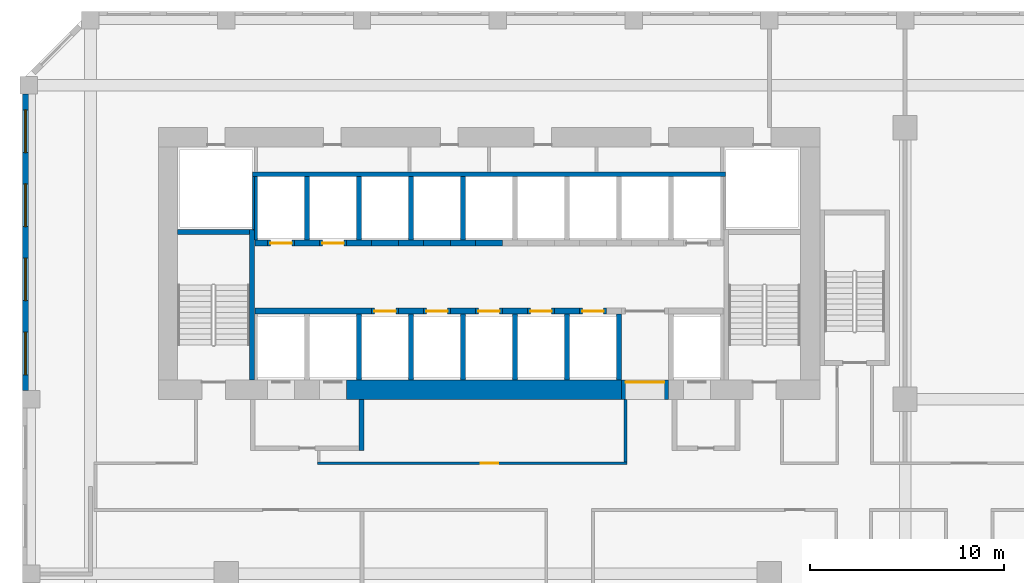
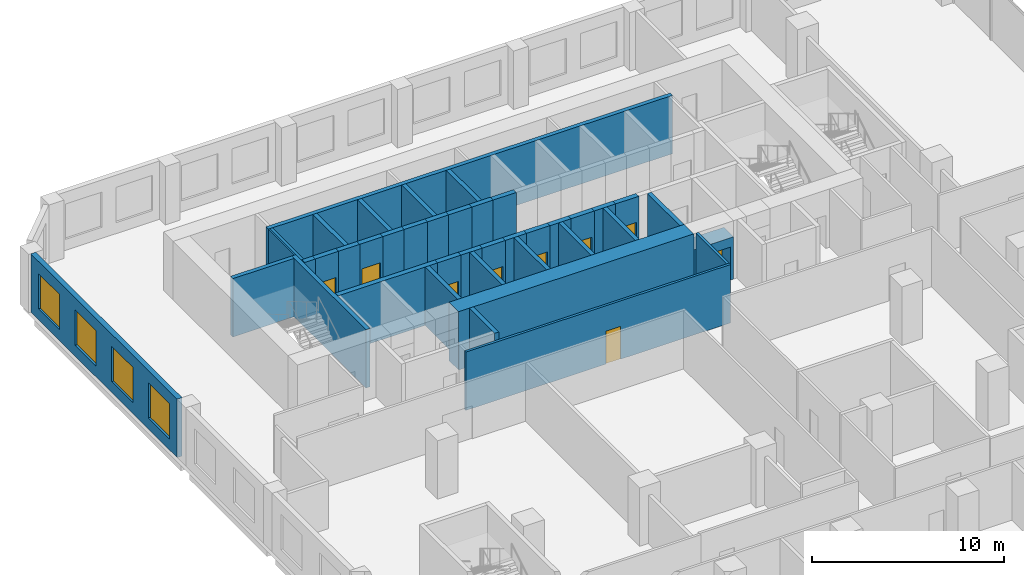
# One storey, part 16 of 29: 41 walls, 9 doors, 4 windows, 13 openings.
"""IFC4 building model written with IfcOpenShell, lengths in metres."""

from ifc_helpers import new_model, si_unit, direction, frame, frame_2d, origin, place, context, subcontext, project, spatial, rectangle, extrude, source, transform, mapped, material, layer, layer_set, type_object, element, fill, save


model = new_model("IFC4")

# Units and contexts
model_context = context("Model", 3, precision=1e-05, world=origin(), true_north=direction((0.0, 1.0)))
body_context = subcontext(model_context, "Body", "Model", "MODEL_VIEW")
ifc_project = project(units=[si_unit("LENGTHUNIT", "METRE"), si_unit("AREAUNIT", "SQUARE_METRE"), si_unit("VOLUMEUNIT", "CUBIC_METRE"), si_unit("PLANEANGLEUNIT", "RADIAN"), si_unit("MASSUNIT", "GRAM", prefix="KILO")], contexts=[model_context])

# Site, building, storey
site_placement = place(None, origin())
site = spatial("IfcSite", under=ifc_project, at=site_placement, CompositionType="ELEMENT")
building_placement = place(site_placement, origin())
building = spatial("IfcBuilding", under=site, at=building_placement, Name="Kilnfold Tower and Market Hall", CompositionType="ELEMENT")
storey_placement = place(building_placement, frame((0.0, 0.0, 79.199951171875)))
storey = spatial("IfcBuildingStorey", under=building, at=storey_placement, Name="L18", CompositionType="ELEMENT", Elevation=79.199951171875)

# Wall, opening, door
ifc_material_1 = material(Name="Gypsum board on steel studs", Category="steel")
ifc_layer_1 = layer(ifc_material_1, 0.14990234375)
ifc_layer_set_1 = layer_set([ifc_layer_1], Name="Gypsum board on steel studs")
wall_type_1 = type_object("IfcWallType", Name="WALL CORRIDOR 150", PredefinedType="PARTITIONING", material=ifc_layer_set_1)
wall_1_placement = place(storey_placement, frame((-7.804931640625, 4.699951171875, 0.0), z_axis=(0.0, 0.0, 1.0), x_axis=(1.0, 0.0, 0.0)))
wall_1 = element("IfcWall", 1, at=wall_1_placement, inside=storey, type_object=wall_type_1, Name="Partition LY13.10", PredefinedType="PARTITIONING", context=body_context, shape_type="SweptSolid", body=[
    extrude(rectangle(XDim=15.969970703125, YDim=0.14990234375, at=frame_2d((7.98486328125, 0.0))), origin(), (0.0, 0.0, 1.0), 3.719970703125),
])
opening_1_placement = place(wall_1_placement, frame((8.43896484375, 0.0, 0.0)))
opening_1 = element("IfcOpeningElement", 2, at=opening_1_placement, cuts=wall_1, Name="Opening D2", PredefinedType="OPENING", context=body_context, shape_type="SweptSolid", body=[
    extrude(rectangle(XDim=0.89990234375, YDim=2.10009765625, at=frame_2d((0.449951171875, 1.050048828125))), frame((0.0, 0.0849609375, 0.0), z_axis=(0.0, -1.0, 0.0), x_axis=(1.0, 0.0, 0.0)), (0.0, 0.0, 1.0), 0.169921875),
])
ifc_material_2 = material(Name="Timber veneer door leaf in steel frame", Category="steel")
door_type_1 = type_object("IfcDoorType", Name="DOOR ROOM 900 X2100", OperationType="NOTDEFINED", PredefinedType="DOOR", material=ifc_material_2)
door_1_placement = place(opening_1_placement, origin())
door_1 = element("IfcDoor", 3, at=door_1_placement, inside=storey, type_object=door_type_1, Name="Door D2", OperationType="SINGLE_SWING_LEFT", OverallHeight=2.10009765625, OverallWidth=0.89990234375, PredefinedType="DOOR", context=body_context, shape_type="SweptSolid", body=[
    extrude(rectangle(XDim=0.89990234375, YDim=2.10009765625, at=frame_2d((0.449951171875, 1.050048828125))), frame((0.0, 0.02490234375, 0.0), z_axis=(0.0, -1.0, 0.0), x_axis=(1.0, 0.0, 0.0)), (0.0, 0.0, 1.0), 0.050048828125),
])
fill(opening_1, door_1)

# Walls
wall_2_placement = place(storey_placement, frame((8.090087890625, 8.0, 0.0), z_axis=(0.0, 0.0, 1.0), x_axis=(0.0, -1.0, 0.0)))
element("IfcWall", 4, at=wall_2_placement, inside=storey, type_object=wall_type_1, Name="Partition LY13.11", PredefinedType="PARTITIONING", context=body_context, shape_type="SweptSolid", body=[
    extrude(rectangle(XDim=3.22509765625, YDim=0.14990234375, at=frame_2d((1.612548828125, 0.0))), origin(), (0.0, 0.0, 1.0), 3.719970703125),
])
ifc_material_3 = material(Name="Concrete C80", Category="concrete")
ifc_layer_2 = layer(ifc_material_3, 1.0)
ifc_layer_set_2 = layer_set([ifc_layer_2], Name="Concrete C80")
wall_type_2 = type_object("IfcWallType", Name="CORE WALL 1000 C80", PredefinedType="SHEAR", material=ifc_layer_set_2)
shared_shape_1 = source(origin(), body_context, "Body", "SweptSolid", [
    extrude(rectangle(XDim=14.179931640625, YDim=1.0, at=frame_2d((7.08984375, 0.0))), origin(), (0.0, 0.0, 1.0), 3.719970703125),
])
wall_3_placement = place(storey_placement, frame((-6.2900390625, 8.5, 0.0), z_axis=(0.0, 0.0, 1.0), x_axis=(1.0, 0.0, 0.0)))
element("IfcWall", 5, at=wall_3_placement, inside=storey, type_object=wall_type_2, Name="Core outer wall south", PredefinedType="SHEAR", context=body_context, shape_type="MappedRepresentation", body=[
    mapped(shared_shape_1, transform((0.0, 0.0, 0.0))),
])
ifc_material_4 = material(Name="Concrete C80", Category="concrete")
ifc_layer_3 = layer(ifc_material_4, 0.25)
ifc_layer_set_3 = layer_set([ifc_layer_3], Name="Concrete C80")
wall_type_3 = type_object("IfcWallType", Name="CORE WALL 250 C80", PredefinedType="SHEAR", material=ifc_layer_set_3)
shared_shape_2 = source(origin(), body_context, "Body", "SweptSolid", [
    extrude(rectangle(XDim=7.75, YDim=0.25, at=frame_2d((3.875, 0.0))), origin(), (0.0, 0.0, 1.0), 3.719970703125),
])
wall_4_placement = place(storey_placement, frame((-11.175048828125, 9.0, 0.0), z_axis=(0.0, 0.0, 1.0), x_axis=(0.0, 1.0, 0.0)))
element("IfcWall", 6, at=wall_4_placement, inside=storey, type_object=wall_type_3, Name="Stair enclosure ST1", PredefinedType="SHEAR", context=body_context, shape_type="MappedRepresentation", body=[
    mapped(shared_shape_2, transform((0.0, 0.0, 0.0))),
])
shared_shape_3 = source(origin(), body_context, "Body", "SweptSolid", [
    extrude(rectangle(XDim=3.699951171875, YDim=0.25, at=frame_2d((1.85009765625, 0.0))), origin(), (0.0, 0.0, 1.0), 3.719970703125),
])
wall_5_placement = place(storey_placement, frame((-15.0, 16.625, 0.0), z_axis=(0.0, 0.0, 1.0), x_axis=(1.0, 0.0, 0.0)))
element("IfcWall", 7, at=wall_5_placement, inside=storey, type_object=wall_type_3, Name="Stair enclosure ST1", PredefinedType="SHEAR", context=body_context, shape_type="MappedRepresentation", body=[
    mapped(shared_shape_3, transform((0.0, 0.0, 0.0))),
])
ifc_material_5 = material(Name="Concrete C80", Category="concrete")
ifc_layer_4 = layer(ifc_material_5, 0.300048828125)
ifc_layer_set_4 = layer_set([ifc_layer_4], Name="Concrete C80")
wall_type_4 = type_object("IfcWallType", Name="CORE WALL 300 C80", PredefinedType="SHEAR", material=ifc_layer_set_4)
shared_shape_4 = source(origin(), body_context, "Body", "SweptSolid", [
    extrude(rectangle(XDim=6.0, YDim=0.300048828125, at=frame_2d((3.0, 0.0))), origin(), (0.0, 0.0, 1.0), 3.719970703125),
])
wall_6_placement = place(storey_placement, frame((-11.010009765625, 12.550048828125, 0.0), z_axis=(0.0, 0.0, 1.0), x_axis=(1.0, 0.0, 0.0)))
element("IfcWall", 8, at=wall_6_placement, inside=storey, type_object=wall_type_4, Name="Core spine wall", PredefinedType="SHEAR", context=body_context, shape_type="MappedRepresentation", body=[
    mapped(shared_shape_4, transform((0.0, 0.0, 0.0))),
])
shared_shape_5 = source(origin(), body_context, "Body", "SweptSolid", [
    extrude(rectangle(XDim=1.280029296875, YDim=0.300048828125, at=frame_2d((0.64013671875, 0.0))), origin(), (0.0, 0.0, 1.0), 3.719970703125),
])
for number, where, z_axis, x_axis, name in (
    (9, (-3.610107421875, 12.550048828125, 0.0), (0.0, 0.0, 1.0), (1.0, 0.0, 0.0), "Core spine wall"),
    (10, (-0.929931640625, 12.550048828125, 0.0), (0.0, 0.0, 1.0), (1.0, 0.0, 0.0), "Core spine wall"),
    (11, (1.75, 12.550048828125, 0.0), (0.0, 0.0, 1.0), (1.0, 0.0, 0.0), "Core spine wall"),
    (12, (4.429931640625, 12.550048828125, 0.0), (0.0, 0.0, 1.0), (1.0, 0.0, 0.0), "Core spine wall"),
    (13, (-8.969970703125, 16.050048828125, 0.0), (0.0, 0.0, 1.0), (1.0, 0.0, 0.0), "Core spine wall"),
    (14, (-6.2900390625, 16.050048828125, 0.0), (0.0, 0.0, 1.0), (1.0, 0.0, 0.0), "Core spine wall"),
    (15, (-3.610107421875, 16.050048828125, 0.0), (0.0, 0.0, 1.0), (1.0, 0.0, 0.0), "Core spine wall"),
    (16, (-0.929931640625, 16.050048828125, 0.0), (0.0, 0.0, 1.0), (1.0, 0.0, 0.0), "Core spine wall"),
):
    element("IfcWall", number, at=place(storey_placement, frame(where, z_axis=z_axis, x_axis=x_axis)), inside=storey, type_object=wall_type_4, Name=name, PredefinedType="SHEAR", context=body_context, shape_type="MappedRepresentation", body=[
        mapped(shared_shape_5, transform((0.0, 0.0, 0.0))),
    ])
shared_shape_6 = source(origin(), body_context, "Body", "SweptSolid", [
    extrude(rectangle(XDim=0.639892578125, YDim=0.300048828125, at=frame_2d((0.31982421875, 0.0))), origin(), (0.0, 0.0, 1.0), 3.719970703125),
])
wall_7_placement = place(storey_placement, frame((-11.010009765625, 16.050048828125, 0.0), z_axis=(0.0, 0.0, 1.0), x_axis=(1.0, 0.0, 0.0)))
element("IfcWall", 17, at=wall_7_placement, inside=storey, type_object=wall_type_4, Name="Core spine wall", PredefinedType="SHEAR", context=body_context, shape_type="MappedRepresentation", body=[
    mapped(shared_shape_6, transform((0.0, 0.0, 0.0))),
])

# Wall, openings, windows
ifc_material_6 = material(Name="Precast concrete C50/60", Category="concrete")
ifc_layer_5 = layer(ifc_material_6, 0.300048828125)
ifc_layer_set_5 = layer_set([ifc_layer_5], Name="Precast concrete C50/60")
wall_type_5 = type_object("IfcWallType", Name="PRECAST WALL 300", PredefinedType="SOLIDWALL", material=ifc_layer_set_5)
shared_shape_7 = source(origin(), body_context, "Body", "SweptSolid", [
    extrude(rectangle(XDim=15.28173828125, YDim=0.300048828125, at=frame_2d((7.640869140625, 0.0))), origin(), (0.0, 0.0, 1.0), 3.719970703125),
])
wall_8_placement = place(storey_placement, frame((-22.85009765625, 23.731689453125, 0.0), z_axis=(0.0, 0.0, 1.0), x_axis=(0.0, -1.0, 0.0)))
wall_8 = element("IfcWall", 18, at=wall_8_placement, inside=storey, type_object=wall_type_5, Name="External wall L18 W", PredefinedType="SOLIDWALL", context=body_context, shape_type="MappedRepresentation", body=[
    mapped(shared_shape_7, transform((0.0, 0.0, 0.0))),
])
opening_2_placement = place(wall_8_placement, frame((0.810302734375, 0.0, 0.699951171875)))
opening_2 = element("IfcOpeningElement", 19, at=opening_2_placement, cuts=wall_8, Name="Opening W1", PredefinedType="OPENING", context=body_context, shape_type="SweptSolid", body=[
    extrude(rectangle(XDim=2.199951171875, YDim=2.25, at=frame_2d((1.10009765625, 1.125))), frame((0.0, 0.16015625, 0.0), z_axis=(0.0, -1.0, 0.0), x_axis=(1.0, 0.0, 0.0)), (0.0, 0.0, 1.0), 0.320068359375),
])
opening_3_placement = place(wall_8_placement, frame((4.630615234375, 0.0, 0.699951171875)))
opening_3 = element("IfcOpeningElement", 20, at=opening_3_placement, cuts=wall_8, Name="Opening W1", PredefinedType="OPENING", context=body_context, shape_type="SweptSolid", body=[
    extrude(rectangle(XDim=2.199951171875, YDim=2.25, at=frame_2d((1.10009765625, 1.125))), frame((0.0, 0.16015625, 0.0), z_axis=(0.0, -1.0, 0.0), x_axis=(1.0, 0.0, 0.0)), (0.0, 0.0, 1.0), 0.320068359375),
])
opening_4_placement = place(wall_8_placement, frame((8.451171875, 0.0, 0.699951171875)))
opening_4 = element("IfcOpeningElement", 21, at=opening_4_placement, cuts=wall_8, Name="Opening W1", PredefinedType="OPENING", context=body_context, shape_type="SweptSolid", body=[
    extrude(rectangle(XDim=2.199951171875, YDim=2.25, at=frame_2d((1.10009765625, 1.125))), frame((0.0, 0.16015625, 0.0), z_axis=(0.0, -1.0, 0.0), x_axis=(1.0, 0.0, 0.0)), (0.0, 0.0, 1.0), 0.320068359375),
])
opening_5_placement = place(wall_8_placement, frame((12.271484375, 0.0, 0.699951171875)))
opening_5 = element("IfcOpeningElement", 22, at=opening_5_placement, cuts=wall_8, Name="Opening W1", PredefinedType="OPENING", context=body_context, shape_type="SweptSolid", body=[
    extrude(rectangle(XDim=2.199951171875, YDim=2.25, at=frame_2d((1.10009765625, 1.125))), frame((0.0, 0.16015625, 0.0), z_axis=(0.0, -1.0, 0.0), x_axis=(1.0, 0.0, 0.0)), (0.0, 0.0, 1.0), 0.320068359375),
])
ifc_material_7 = material(Name="Aluminium frame and double glazing", Category="aluminium")
window_type = type_object("IfcWindowType", Name="WINDOW W1 2200X2250", PartitioningType="SINGLE_PANEL", PredefinedType="WINDOW", material=ifc_material_7)
window_1_placement = place(opening_2_placement, origin())
window_1 = element("IfcWindow", 23, at=window_1_placement, inside=storey, type_object=window_type, Name="Window W1 L18 W-1", OverallHeight=2.25, OverallWidth=2.199951171875, PartitioningType="SINGLE_PANEL", PredefinedType="WINDOW", context=body_context, shape_type="SweptSolid", body=[
    extrude(rectangle(XDim=2.199951171875, YDim=2.25, at=frame_2d((1.10009765625, 1.125))), frame((0.0, 0.030029296875, 0.0), z_axis=(0.0, -1.0, 0.0), x_axis=(1.0, 0.0, 0.0)), (0.0, 0.0, 1.0), 0.06005859375),
])
fill(opening_2, window_1)
window_2_placement = place(opening_3_placement, origin())
window_2 = element("IfcWindow", 24, at=window_2_placement, inside=storey, type_object=window_type, Name="Window W1 L18 W-2", OverallHeight=2.25, OverallWidth=2.199951171875, PartitioningType="SINGLE_PANEL", PredefinedType="WINDOW", context=body_context, shape_type="SweptSolid", body=[
    extrude(rectangle(XDim=2.199951171875, YDim=2.25, at=frame_2d((1.10009765625, 1.125))), frame((0.0, 0.030029296875, 0.0), z_axis=(0.0, -1.0, 0.0), x_axis=(1.0, 0.0, 0.0)), (0.0, 0.0, 1.0), 0.06005859375),
])
fill(opening_3, window_2)
window_3_placement = place(opening_4_placement, origin())
window_3 = element("IfcWindow", 25, at=window_3_placement, inside=storey, type_object=window_type, Name="Window W1 L18 W-3", OverallHeight=2.25, OverallWidth=2.199951171875, PartitioningType="SINGLE_PANEL", PredefinedType="WINDOW", context=body_context, shape_type="SweptSolid", body=[
    extrude(rectangle(XDim=2.199951171875, YDim=2.25, at=frame_2d((1.10009765625, 1.125))), frame((0.0, 0.030029296875, 0.0), z_axis=(0.0, -1.0, 0.0), x_axis=(1.0, 0.0, 0.0)), (0.0, 0.0, 1.0), 0.06005859375),
])
fill(opening_4, window_3)
window_4_placement = place(opening_5_placement, origin())
window_4 = element("IfcWindow", 26, at=window_4_placement, inside=storey, type_object=window_type, Name="Window W1 L18 W-4", OverallHeight=2.25, OverallWidth=2.199951171875, PartitioningType="SINGLE_PANEL", PredefinedType="WINDOW", context=body_context, shape_type="SweptSolid", body=[
    extrude(rectangle(XDim=2.199951171875, YDim=2.25, at=frame_2d((1.10009765625, 1.125))), frame((0.0, 0.030029296875, 0.0), z_axis=(0.0, -1.0, 0.0), x_axis=(1.0, 0.0, 0.0)), (0.0, 0.0, 1.0), 0.06005859375),
])
fill(opening_5, window_4)

# Wall, opening, door
ifc_material_8 = material(Name="Gypsum shaft wall system")
ifc_layer_6 = layer(ifc_material_8, 1.0)
ifc_layer_set_6 = layer_set([ifc_layer_6], Name="Gypsum shaft wall system")
wall_type_6 = type_object("IfcWallType", Name="LOBBY WALL 1000", PredefinedType="PARTITIONING", material=ifc_layer_set_6)
shared_shape_8 = source(origin(), body_context, "Body", "SweptSolid", [
    extrude(rectangle(XDim=2.400146484375, YDim=1.0, at=frame_2d((1.2001953125, 0.0))), origin(), (0.0, 0.0, 1.0), 2.699951171875),
])
wall_9_placement = place(storey_placement, frame((7.889892578125, 8.5, 0.0), z_axis=(0.0, 0.0, 1.0), x_axis=(1.0, 0.0, 0.0)))
wall_9 = element("IfcWall", 27, at=wall_9_placement, inside=storey, type_object=wall_type_6, Name="Core wall infill", PredefinedType="PARTITIONING", context=body_context, shape_type="MappedRepresentation", body=[
    mapped(shared_shape_8, transform((0.0, 0.0, 0.0))),
])
opening_6_placement = place(wall_9_placement, frame((0.199951171875, 0.0, 0.0)))
opening_6 = element("IfcOpeningElement", 28, at=opening_6_placement, cuts=wall_9, Name="Opening VD2", PredefinedType="OPENING", context=body_context, shape_type="SweptSolid", body=[
    extrude(rectangle(XDim=2.0, YDim=2.10009765625, at=frame_2d((1.0, 1.050048828125))), frame((0.0, 0.510009765625, 0.0), z_axis=(0.0, -1.0, 0.0), x_axis=(1.0, 0.0, 0.0)), (0.0, 0.0, 1.0), 1.02001953125),
])
ifc_material_9 = material(Name="Steel door set with fire-resisting leaf", Category="steel")
door_type_2 = type_object("IfcDoorType", Name="LIFT LOBBY ENTRANCE DOOR 2000X2100", OperationType="NOTDEFINED", PredefinedType="DOOR", material=ifc_material_9)
door_2_placement = place(opening_6_placement, origin())
door_2 = element("IfcDoor", 29, at=door_2_placement, inside=storey, type_object=door_type_2, Name="Lift lobby entrance door", OperationType="DOUBLE_DOOR_SINGLE_SWING", OverallHeight=2.10009765625, OverallWidth=2.0, PredefinedType="DOOR", context=body_context, shape_type="SweptSolid", body=[
    extrude(rectangle(XDim=2.0, YDim=2.10009765625, at=frame_2d((1.0, 1.050048828125))), frame((0.0, 0.40478515625, 0.0), z_axis=(0.0, -1.0, 0.0), x_axis=(1.0, 0.0, 0.0)), (0.0, 0.0, 1.0), 0.050048828125),
])
fill(opening_6, door_2)

ifc_material_10 = material(Name="Gypsum shaft wall system")
ifc_layer_7 = layer(ifc_material_10, 0.300048828125)
ifc_layer_set_7 = layer_set([ifc_layer_7], Name="Gypsum shaft wall system")
wall_type_7 = type_object("IfcWallType", Name="SHAFT WALL 300", PredefinedType="PARTITIONING", material=ifc_layer_set_7)
shared_shape_9 = source(origin(), body_context, "Body", "SweptSolid", [
    extrude(rectangle(XDim=1.39990234375, YDim=0.300048828125, at=frame_2d((0.699951171875, 0.0))), origin(), (0.0, 0.0, 1.0), 3.719970703125),
])
wall_10_placement = place(storey_placement, frame((-5.010009765625, 12.550048828125, 0.0), z_axis=(0.0, 0.0, 1.0), x_axis=(1.0, 0.0, 0.0)))
wall_10 = element("IfcWall", 30, at=wall_10_placement, inside=storey, type_object=wall_type_7, Name="Lift shaft front wall", PredefinedType="PARTITIONING", context=body_context, shape_type="MappedRepresentation", body=[
    mapped(shared_shape_9, transform((0.0, 0.0, 0.0))),
])
opening_7_placement = place(wall_10_placement, frame((0.14990234375, 0.0, 0.0)))
opening_7 = element("IfcOpeningElement", 31, at=opening_7_placement, cuts=wall_10, Name="Opening LD2", PredefinedType="OPENING", context=body_context, shape_type="SweptSolid", body=[
    extrude(rectangle(XDim=1.10009765625, YDim=2.10009765625, at=frame_2d((0.550048828125, 1.050048828125))), frame((0.0, 0.16015625, 0.0), z_axis=(0.0, -1.0, 0.0), x_axis=(1.0, 0.0, 0.0)), (0.0, 0.0, 1.0), 0.320068359375),
])
ifc_material_11 = material(Name="Steel door set with fire-resisting leaf", Category="steel")
door_type_3 = type_object("IfcDoorType", Name="LANDING DOOR 1100X2100", OperationType="NOTDEFINED", PredefinedType="DOOR", material=ifc_material_11)
door_3_placement = place(opening_7_placement, origin())
door_3 = element("IfcDoor", 32, at=door_3_placement, inside=storey, type_object=door_type_3, Name="Landing door LR1", OperationType="DOUBLE_DOOR_SLIDING", OverallHeight=2.10009765625, OverallWidth=1.10009765625, PredefinedType="DOOR", context=body_context, shape_type="SweptSolid", body=[
    extrude(rectangle(XDim=1.10009765625, YDim=2.10009765625, at=frame_2d((0.550048828125, 1.050048828125))), frame((0.0, 0.02490234375, 0.0), z_axis=(0.0, -1.0, 0.0), x_axis=(1.0, 0.0, 0.0)), (0.0, 0.0, 1.0), 0.050048828125),
])
fill(opening_7, door_3)

wall_11_placement = place(storey_placement, frame((0.35009765625, 12.550048828125, 0.0), z_axis=(0.0, 0.0, 1.0), x_axis=(1.0, 0.0, 0.0)))
wall_11 = element("IfcWall", 33, at=wall_11_placement, inside=storey, type_object=wall_type_7, Name="Lift shaft front wall", PredefinedType="PARTITIONING", context=body_context, shape_type="MappedRepresentation", body=[
    mapped(shared_shape_9, transform((0.0, 0.0, 0.0))),
])
opening_8_placement = place(wall_11_placement, frame((0.14990234375, 0.0, 0.0)))
opening_8 = element("IfcOpeningElement", 34, at=opening_8_placement, cuts=wall_11, Name="Opening LD2", PredefinedType="OPENING", context=body_context, shape_type="SweptSolid", body=[
    extrude(rectangle(XDim=1.10009765625, YDim=2.10009765625, at=frame_2d((0.550048828125, 1.050048828125))), frame((0.0, 0.16015625, 0.0), z_axis=(0.0, -1.0, 0.0), x_axis=(1.0, 0.0, 0.0)), (0.0, 0.0, 1.0), 0.320068359375),
])
door_4_placement = place(opening_8_placement, origin())
door_4 = element("IfcDoor", 35, at=door_4_placement, inside=storey, type_object=door_type_3, Name="Landing door LR3", OperationType="DOUBLE_DOOR_SLIDING", OverallHeight=2.10009765625, OverallWidth=1.10009765625, PredefinedType="DOOR", context=body_context, shape_type="SweptSolid", body=[
    extrude(rectangle(XDim=1.10009765625, YDim=2.10009765625, at=frame_2d((0.550048828125, 1.050048828125))), frame((0.0, 0.02490234375, 0.0), z_axis=(0.0, -1.0, 0.0), x_axis=(1.0, 0.0, 0.0)), (0.0, 0.0, 1.0), 0.050048828125),
])
fill(opening_8, door_4)

wall_12_placement = place(storey_placement, frame((3.030029296875, 12.550048828125, 0.0), z_axis=(0.0, 0.0, 1.0), x_axis=(1.0, 0.0, 0.0)))
wall_12 = element("IfcWall", 36, at=wall_12_placement, inside=storey, type_object=wall_type_7, Name="Lift shaft front wall", PredefinedType="PARTITIONING", context=body_context, shape_type="MappedRepresentation", body=[
    mapped(shared_shape_9, transform((0.0, 0.0, 0.0))),
])
opening_9_placement = place(wall_12_placement, frame((0.14990234375, 0.0, 0.0)))
opening_9 = element("IfcOpeningElement", 37, at=opening_9_placement, cuts=wall_12, Name="Opening LD2", PredefinedType="OPENING", context=body_context, shape_type="SweptSolid", body=[
    extrude(rectangle(XDim=1.10009765625, YDim=2.10009765625, at=frame_2d((0.550048828125, 1.050048828125))), frame((0.0, 0.16015625, 0.0), z_axis=(0.0, -1.0, 0.0), x_axis=(1.0, 0.0, 0.0)), (0.0, 0.0, 1.0), 0.320068359375),
])
door_5_placement = place(opening_9_placement, origin())
door_5 = element("IfcDoor", 38, at=door_5_placement, inside=storey, type_object=door_type_3, Name="Landing door LR4", OperationType="DOUBLE_DOOR_SLIDING", OverallHeight=2.10009765625, OverallWidth=1.10009765625, PredefinedType="DOOR", context=body_context, shape_type="SweptSolid", body=[
    extrude(rectangle(XDim=1.10009765625, YDim=2.10009765625, at=frame_2d((0.550048828125, 1.050048828125))), frame((0.0, 0.02490234375, 0.0), z_axis=(0.0, -1.0, 0.0), x_axis=(1.0, 0.0, 0.0)), (0.0, 0.0, 1.0), 0.050048828125),
])
fill(opening_9, door_5)

wall_13_placement = place(storey_placement, frame((-7.68994140625, 16.050048828125, 0.0), z_axis=(0.0, 0.0, 1.0), x_axis=(1.0, 0.0, 0.0)))
wall_13 = element("IfcWall", 39, at=wall_13_placement, inside=storey, type_object=wall_type_7, Name="Lift shaft front wall", PredefinedType="PARTITIONING", context=body_context, shape_type="MappedRepresentation", body=[
    mapped(shared_shape_9, transform((0.0, 0.0, 0.0))),
])
opening_10_placement = place(wall_13_placement, frame((0.14990234375, 0.0, 0.0)))
opening_10 = element("IfcOpeningElement", 40, at=opening_10_placement, cuts=wall_13, Name="Opening LD2", PredefinedType="OPENING", context=body_context, shape_type="SweptSolid", body=[
    extrude(rectangle(XDim=1.10009765625, YDim=2.10009765625, at=frame_2d((0.550048828125, 1.050048828125))), frame((0.0, 0.16015625, 0.0), z_axis=(0.0, -1.0, 0.0), x_axis=(1.0, 0.0, 0.0)), (0.0, 0.0, 1.0), 0.320068359375),
])
door_6_placement = place(opening_10_placement, origin())
door_6 = element("IfcDoor", 41, at=door_6_placement, inside=storey, type_object=door_type_3, Name="Landing door LR8", OperationType="DOUBLE_DOOR_SLIDING", OverallHeight=2.10009765625, OverallWidth=1.10009765625, PredefinedType="DOOR", context=body_context, shape_type="SweptSolid", body=[
    extrude(rectangle(XDim=1.10009765625, YDim=2.10009765625, at=frame_2d((0.550048828125, 1.050048828125))), frame((0.0, 0.02490234375, 0.0), z_axis=(0.0, -1.0, 0.0), x_axis=(1.0, 0.0, 0.0)), (0.0, 0.0, 1.0), 0.050048828125),
])
fill(opening_10, door_6)

# Walls
for number, where, z_axis, x_axis, name in (
    (42, (-5.010009765625, 16.050048828125, 0.0), (0.0, 0.0, 1.0), (1.0, 0.0, 0.0), "Lift shaft front wall"),
    (43, (0.35009765625, 16.050048828125, 0.0), (0.0, 0.0, 1.0), (1.0, 0.0, 0.0), "Lift shaft front wall"),
):
    element("IfcWall", number, at=place(storey_placement, frame(where, z_axis=z_axis, x_axis=x_axis)), inside=storey, type_object=wall_type_7, Name=name, PredefinedType="PARTITIONING", context=body_context, shape_type="MappedRepresentation", body=[
        mapped(shared_shape_9, transform((0.0, 0.0, 0.0))),
    ])

# Wall, opening, door
shared_shape_10 = source(origin(), body_context, "Body", "SweptSolid", [
    extrude(rectangle(XDim=1.400146484375, YDim=0.300048828125, at=frame_2d((0.7001953125, 0.0))), origin(), (0.0, 0.0, 1.0), 3.719970703125),
])
wall_14_placement = place(storey_placement, frame((-2.330078125, 12.550048828125, 0.0), z_axis=(0.0, 0.0, 1.0), x_axis=(1.0, 0.0, 0.0)))
wall_14 = element("IfcWall", 44, at=wall_14_placement, inside=storey, type_object=wall_type_7, Name="Lift shaft front wall", PredefinedType="PARTITIONING", context=body_context, shape_type="MappedRepresentation", body=[
    mapped(shared_shape_10, transform((0.0, 0.0, 0.0))),
])
opening_11_placement = place(wall_14_placement, frame((0.14990234375, 0.0, 0.0)))
opening_11 = element("IfcOpeningElement", 45, at=opening_11_placement, cuts=wall_14, Name="Opening LD2", PredefinedType="OPENING", context=body_context, shape_type="SweptSolid", body=[
    extrude(rectangle(XDim=1.10009765625, YDim=2.10009765625, at=frame_2d((0.550048828125, 1.050048828125))), frame((0.0, 0.16015625, 0.0), z_axis=(0.0, -1.0, 0.0), x_axis=(1.0, 0.0, 0.0)), (0.0, 0.0, 1.0), 0.320068359375),
])
door_7_placement = place(opening_11_placement, origin())
door_7 = element("IfcDoor", 46, at=door_7_placement, inside=storey, type_object=door_type_3, Name="Landing door LR2", OperationType="DOUBLE_DOOR_SLIDING", OverallHeight=2.10009765625, OverallWidth=1.10009765625, PredefinedType="DOOR", context=body_context, shape_type="SweptSolid", body=[
    extrude(rectangle(XDim=1.10009765625, YDim=2.10009765625, at=frame_2d((0.550048828125, 1.050048828125))), frame((0.0, 0.02490234375, 0.0), z_axis=(0.0, -1.0, 0.0), x_axis=(1.0, 0.0, 0.0)), (0.0, 0.0, 1.0), 0.050048828125),
])
fill(opening_11, door_7)

wall_15_placement = place(storey_placement, frame((5.7099609375, 12.550048828125, 0.0), z_axis=(0.0, 0.0, 1.0), x_axis=(1.0, 0.0, 0.0)))
wall_15 = element("IfcWall", 47, at=wall_15_placement, inside=storey, type_object=wall_type_7, Name="Lift shaft front wall", PredefinedType="PARTITIONING", context=body_context, shape_type="MappedRepresentation", body=[
    mapped(shared_shape_10, transform((0.0, 0.0, 0.0))),
])
opening_12_placement = place(wall_15_placement, frame((0.14990234375, 0.0, 0.0)))
opening_12 = element("IfcOpeningElement", 48, at=opening_12_placement, cuts=wall_15, Name="Opening LD2", PredefinedType="OPENING", context=body_context, shape_type="SweptSolid", body=[
    extrude(rectangle(XDim=1.10009765625, YDim=2.10009765625, at=frame_2d((0.550048828125, 1.050048828125))), frame((0.0, 0.16015625, 0.0), z_axis=(0.0, -1.0, 0.0), x_axis=(1.0, 0.0, 0.0)), (0.0, 0.0, 1.0), 0.320068359375),
])
door_8_placement = place(opening_12_placement, origin())
door_8 = element("IfcDoor", 49, at=door_8_placement, inside=storey, type_object=door_type_3, Name="Landing door LR5", OperationType="DOUBLE_DOOR_SLIDING", OverallHeight=2.10009765625, OverallWidth=1.10009765625, PredefinedType="DOOR", context=body_context, shape_type="SweptSolid", body=[
    extrude(rectangle(XDim=1.10009765625, YDim=2.10009765625, at=frame_2d((0.550048828125, 1.050048828125))), frame((0.0, 0.02490234375, 0.0), z_axis=(0.0, -1.0, 0.0), x_axis=(1.0, 0.0, 0.0)), (0.0, 0.0, 1.0), 0.050048828125),
])
fill(opening_12, door_8)

wall_16_placement = place(storey_placement, frame((-10.3701171875, 16.050048828125, 0.0), z_axis=(0.0, 0.0, 1.0), x_axis=(1.0, 0.0, 0.0)))
wall_16 = element("IfcWall", 50, at=wall_16_placement, inside=storey, type_object=wall_type_7, Name="Lift shaft front wall", PredefinedType="PARTITIONING", context=body_context, shape_type="MappedRepresentation", body=[
    mapped(shared_shape_10, transform((0.0, 0.0, 0.0))),
])
opening_13_placement = place(wall_16_placement, frame((0.14990234375, 0.0, 0.0)))
opening_13 = element("IfcOpeningElement", 51, at=opening_13_placement, cuts=wall_16, Name="Opening LD2", PredefinedType="OPENING", context=body_context, shape_type="SweptSolid", body=[
    extrude(rectangle(XDim=1.10009765625, YDim=2.10009765625, at=frame_2d((0.550048828125, 1.050048828125))), frame((0.0, 0.16015625, 0.0), z_axis=(0.0, -1.0, 0.0), x_axis=(1.0, 0.0, 0.0)), (0.0, 0.0, 1.0), 0.320068359375),
])
door_9_placement = place(opening_13_placement, origin())
door_9 = element("IfcDoor", 52, at=door_9_placement, inside=storey, type_object=door_type_3, Name="Landing door LR7", OperationType="DOUBLE_DOOR_SLIDING", OverallHeight=2.10009765625, OverallWidth=1.10009765625, PredefinedType="DOOR", context=body_context, shape_type="SweptSolid", body=[
    extrude(rectangle(XDim=1.10009765625, YDim=2.10009765625, at=frame_2d((0.550048828125, 1.050048828125))), frame((0.0, 0.02490234375, 0.0), z_axis=(0.0, -1.0, 0.0), x_axis=(1.0, 0.0, 0.0)), (0.0, 0.0, 1.0), 0.050048828125),
])
fill(opening_13, door_9)

# Walls
wall_17_placement = place(storey_placement, frame((-2.330078125, 16.050048828125, 0.0), z_axis=(0.0, 0.0, 1.0), x_axis=(1.0, 0.0, 0.0)))
element("IfcWall", 53, at=wall_17_placement, inside=storey, type_object=wall_type_7, Name="Lift shaft front wall", PredefinedType="PARTITIONING", context=body_context, shape_type="MappedRepresentation", body=[
    mapped(shared_shape_10, transform((0.0, 0.0, 0.0))),
])
ifc_material_12 = material(Name="Gypsum shaft wall system")
ifc_layer_8 = layer(ifc_material_12, 0.25)
ifc_layer_set_8 = layer_set([ifc_layer_8], Name="Gypsum shaft wall system")
wall_type_8 = type_object("IfcWallType", Name="LOBBY WALL 250", PredefinedType="PARTITIONING", material=ifc_layer_set_8)
shared_shape_11 = source(origin(), body_context, "Body", "SweptSolid", [
    extrude(rectangle(XDim=2.64990234375, YDim=0.25, at=frame_2d((1.324951171875, 0.0))), origin(), (0.0, 0.0, 1.0), 3.719970703125),
])
wall_18_placement = place(storey_placement, frame((-5.52490234375, 5.35009765625, 0.0), z_axis=(0.0, 0.0, 1.0), x_axis=(0.0, 1.0, 0.0)))
element("IfcWall", 54, at=wall_18_placement, inside=storey, type_object=wall_type_8, Name="Firefighting lobby wall", PredefinedType="PARTITIONING", context=body_context, shape_type="MappedRepresentation", body=[
    mapped(shared_shape_11, transform((0.0, 0.0, 0.0))),
])
ifc_material_13 = material(Name="Gypsum shaft wall system")
ifc_layer_9 = layer(ifc_material_13, 0.25)
ifc_layer_set_9 = layer_set([ifc_layer_9], Name="Gypsum shaft wall system")
wall_type_9 = type_object("IfcWallType", Name="SHAFT WALL 250", PredefinedType="PARTITIONING", material=ifc_layer_set_9)
shared_shape_12 = source(origin(), body_context, "Body", "SweptSolid", [
    extrude(rectangle(XDim=24.3701171875, YDim=0.25, at=frame_2d((12.18505859375, 0.0))), origin(), (0.0, 0.0, 1.0), 3.719970703125),
])
wall_19_placement = place(storey_placement, frame((-11.135009765625, 19.60009765625, 0.0), z_axis=(0.0, 0.0, 1.0), x_axis=(1.0, 0.0, 0.0)))
element("IfcWall", 55, at=wall_19_placement, inside=storey, type_object=wall_type_9, Name="Lift shaft wall", PredefinedType="PARTITIONING", context=body_context, shape_type="MappedRepresentation", body=[
    mapped(shared_shape_12, transform((0.0, 0.0, 0.0))),
])
ifc_material_14 = material(Name="Gypsum shaft wall system")
ifc_layer_10 = layer(ifc_material_14, 0.1650390625)
ifc_layer_set_10 = layer_set([ifc_layer_10], Name="Gypsum shaft wall system")
wall_type_10 = type_object("IfcWallType", Name="SHAFT WALL 165", PredefinedType="PARTITIONING", material=ifc_layer_set_10)
shared_shape_13 = source(origin(), body_context, "Body", "SweptSolid", [
    extrude(rectangle(XDim=3.275146484375, YDim=0.1650390625, at=frame_2d((1.6376953125, 0.0))), origin(), (0.0, 0.0, 1.0), 3.719970703125),
])
wall_20_placement = place(storey_placement, frame((-10.967529296875, 16.199951171875, 0.0), z_axis=(0.0, 0.0, 1.0), x_axis=(0.0, 1.0, 0.0)))
element("IfcWall", 56, at=wall_20_placement, inside=storey, type_object=wall_type_10, Name="Lift shaft wall", PredefinedType="PARTITIONING", context=body_context, shape_type="MappedRepresentation", body=[
    mapped(shared_shape_13, transform((0.0, 0.0, 0.0))),
])
shared_shape_14 = source(origin(), body_context, "Body", "SweptSolid", [
    extrude(rectangle(XDim=3.275146484375, YDim=0.25, at=frame_2d((1.6376953125, 0.0))), origin(), (0.0, 0.0, 1.0), 3.719970703125),
])
for number, where, z_axis, x_axis, name in (
    (57, (-0.2900390625, 16.199951171875, 0.0), (0.0, 0.0, 1.0), (0.0, 1.0, 0.0), "Lift shaft wall"),
    (58, (-2.969970703125, 16.199951171875, 0.0), (0.0, 0.0, 1.0), (0.0, 1.0, 0.0), "Lift shaft wall"),
    (59, (-5.64990234375, 16.199951171875, 0.0), (0.0, 0.0, 1.0), (0.0, 1.0, 0.0), "Lift shaft wall"),
    (60, (-8.330078125, 16.199951171875, 0.0), (0.0, 0.0, 1.0), (0.0, 1.0, 0.0), "Lift shaft wall"),
):
    element("IfcWall", number, at=place(storey_placement, frame(where, z_axis=z_axis, x_axis=x_axis)), inside=storey, type_object=wall_type_9, Name=name, PredefinedType="PARTITIONING", context=body_context, shape_type="MappedRepresentation", body=[
        mapped(shared_shape_14, transform((0.0, 0.0, 0.0))),
    ])
ifc_material_15 = material(Name="Gypsum shaft wall system")
ifc_layer_11 = layer(ifc_material_15, 0.0849609375)
ifc_layer_set_11 = layer_set([ifc_layer_11], Name="Gypsum shaft wall system")
wall_type_11 = type_object("IfcWallType", Name="SHAFT WALL 85", PredefinedType="PARTITIONING", material=ifc_layer_set_11)
shared_shape_15 = source(origin(), body_context, "Body", "SweptSolid", [
    extrude(rectangle(XDim=2.72509765625, YDim=0.0849609375, at=frame_2d((1.362548828125, 0.0))), origin(), (0.0, 0.0, 1.0), 3.719970703125),
])
wall_21_placement = place(storey_placement, frame((-11.092529296875, 16.75, 0.0), z_axis=(0.0, 0.0, 1.0), x_axis=(0.0, 1.0, 0.0)))
element("IfcWall", 61, at=wall_21_placement, inside=storey, type_object=wall_type_11, Name="Lift shaft wall", PredefinedType="PARTITIONING", context=body_context, shape_type="MappedRepresentation", body=[
    mapped(shared_shape_15, transform((0.0, 0.0, 0.0))),
])
shared_shape_16 = source(origin(), body_context, "Body", "SweptSolid", [
    extrude(rectangle(XDim=3.39990234375, YDim=0.25, at=frame_2d((1.699951171875, 0.0))), origin(), (0.0, 0.0, 1.0), 3.719970703125),
])
for number, where, z_axis, x_axis, name in (
    (62, (2.389892578125, 9.0, 0.0), (0.0, 0.0, 1.0), (0.0, 1.0, 0.0), "Lift shaft wall"),
    (63, (5.070068359375, 9.0, 0.0), (0.0, 0.0, 1.0), (0.0, 1.0, 0.0), "Lift shaft wall"),
    (64, (7.75, 9.0, 0.0), (0.0, 0.0, 1.0), (0.0, 1.0, 0.0), "Lift shaft wall"),
    (65, (-0.2900390625, 9.0, 0.0), (0.0, 0.0, 1.0), (0.0, 1.0, 0.0), "Lift shaft wall"),
    (66, (-2.969970703125, 9.0, 0.0), (0.0, 0.0, 1.0), (0.0, 1.0, 0.0), "Lift shaft wall"),
    (67, (-5.64990234375, 9.0, 0.0), (0.0, 0.0, 1.0), (0.0, 1.0, 0.0), "Lift shaft wall"),
):
    element("IfcWall", number, at=place(storey_placement, frame(where, z_axis=z_axis, x_axis=x_axis)), inside=storey, type_object=wall_type_9, Name=name, PredefinedType="PARTITIONING", context=body_context, shape_type="MappedRepresentation", body=[
        mapped(shared_shape_16, transform((0.0, 0.0, 0.0))),
    ])

save(model, "model.ifc")
